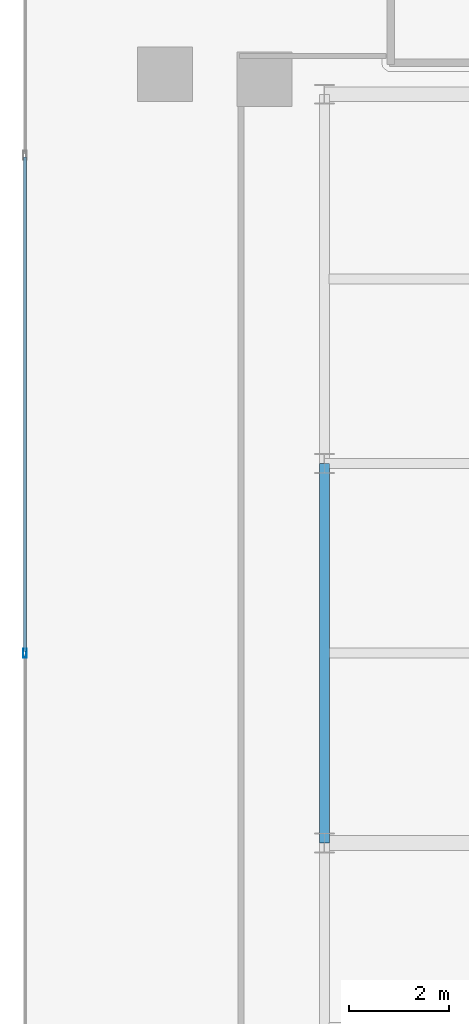
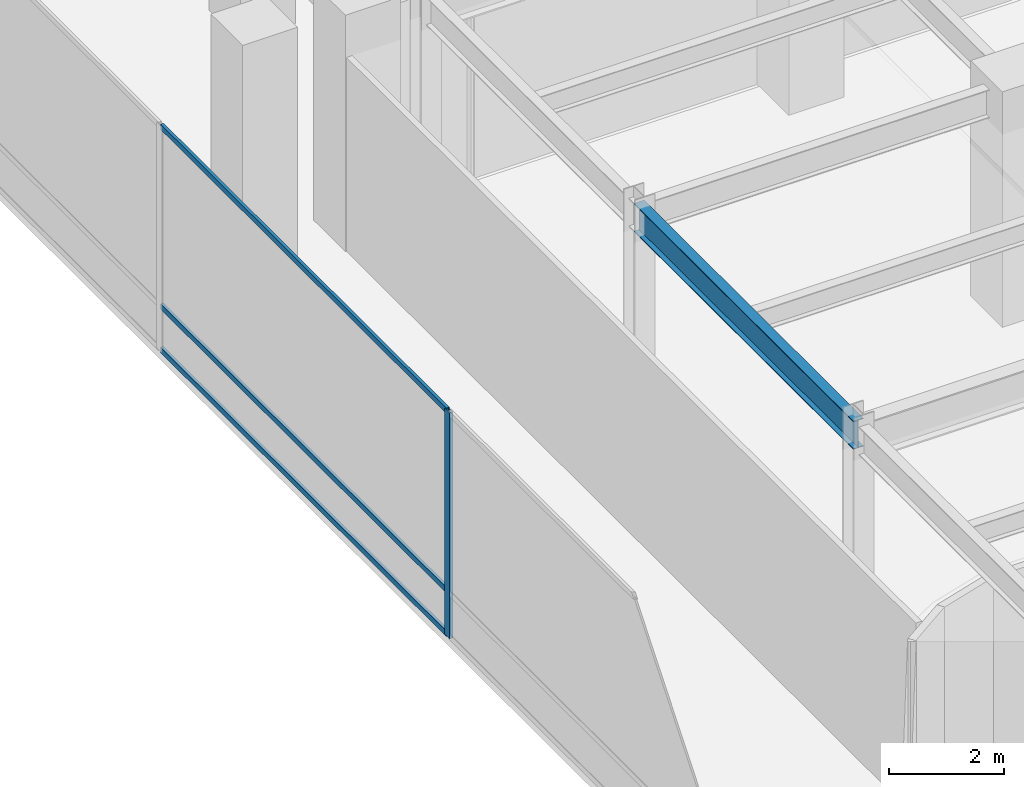
# One storey, part 10 of 42: 4 members, 1 beam, 1 element without a shape of its own.
"""IFC4 building model written with IfcOpenShell, lengths in metres."""

from ifc_helpers import new_model, si_unit, direction, frame, origin, origin_2d, place, context, subcontext, project, spatial, hollow_rectangle, i_section, extrude, material, layer, layer_set, material_profile, profile_set, type_object, element, aggregate, save


model = new_model("IFC4")

# Units and contexts
model_context = context("Model", 3, precision=1e-05, world=origin(), true_north=direction((0.0, 1.0)))
body_context = subcontext(model_context, "Body", "Model", "MODEL_VIEW")
ifc_project = project(units=[si_unit("LENGTHUNIT", "METRE"), si_unit("AREAUNIT", "SQUARE_METRE"), si_unit("VOLUMEUNIT", "CUBIC_METRE"), si_unit("PLANEANGLEUNIT", "RADIAN"), si_unit("MASSUNIT", "GRAM", prefix="KILO")], contexts=[model_context])

# Site, building, storey
site_placement = place(None, origin())
site = spatial("IfcSite", under=ifc_project, at=site_placement, CompositionType="ELEMENT")
building_placement = place(site_placement, origin())
building = spatial("IfcBuilding", under=site, at=building_placement, Name="Qianvela Tower", CompositionType="ELEMENT")
storey_placement = place(building_placement, frame((0.0, 0.0, 6.0)))
storey = spatial("IfcBuildingStorey", under=building, at=storey_placement, Name="L01", CompositionType="ELEMENT", Elevation=6.0)

# Beam
ifc_material_1 = material(Name="Steel Q355B", Category="steel")
ifc_material_profile_1 = material_profile(ifc_material_1, i_section(OverallWidth=0.199951171875, OverallDepth=0.60009765625, WebThickness=0.010986328125, FlangeThickness=0.01708984375, at=origin_2d()), Name="HN600x200x11x17")
ifc_profile_set_1 = profile_set([ifc_material_profile_1], Name="Steel Q355B")
beam_type = type_object("IfcBeamType", Name="BM-HN600-GIRD", PredefinedType="BEAM", material=ifc_profile_set_1)
beam_placement = place(storey_placement, frame((7.5, 22.199951171875, 4.47802734375), z_axis=(0.0, 1.0, 0.0), x_axis=(-1.0, 0.0, 0.0)))
element("IfcBeam", 1, at=beam_placement, inside=storey, type_object=beam_type, Name="L01 North-South Grid Girder 17", PredefinedType="BEAM", context=body_context, shape_type="SweptSolid", body=[
    extrude(i_section(OverallWidth=0.199951171875, OverallDepth=0.60009765625, WebThickness=0.010986328125, FlangeThickness=0.01708984375, at=origin_2d()), origin(), (0.0, 0.0, 1.0), 7.60009765625),
])

# Curtain wall, members
ifc_material_2 = material(Name="Anodised Architectural Aluminium and Low-E Glass", Category="aluminium")
ifc_layer = layer(ifc_material_2, 0.179931640625)
ifc_layer_set = layer_set([ifc_layer], Name="Anodised Architectural Aluminium and Low-E Glass")
curtain_wall_type = type_object("IfcCurtainWallType", Name="CW-COMMONS", PredefinedType="USERDEFINED", material=ifc_layer_set)
curtain_wall_placement = place(storey_placement, origin())
curtain_wall = element("IfcCurtainWall", 2, at=curtain_wall_placement, inside=storey, type_object=curtain_wall_type, Name="L01 CW-COMMONS Curtain Wall 07", ObjectType="CURTAIN_WALL_SYSTEM", PredefinedType="USERDEFINED")
ifc_material_3 = material(Name="Anodised Architectural Aluminium 6063-T6", Category="aluminium")
ifc_material_profile_2 = material_profile(ifc_material_3, hollow_rectangle(XDim=0.070068359375, YDim=0.179931640625, WallThickness=0.0048828125, at=origin_2d()), Name="ALU-MULL-70x180")
ifc_profile_set_2 = profile_set([ifc_material_profile_2], Name="Anodised Architectural Aluminium 6063-T6")
member_type_1 = type_object("IfcMemberType", Name="CW-COMMONS-MULL", PredefinedType="MULLION", material=ifc_profile_set_2)
member_1_placement = place(storey_placement, frame((1.5, 26.0, 0.0), z_axis=(0.0, 0.0, 1.0), x_axis=(1.0, 0.0, 0.0)))
member_1 = element("IfcMember", 3, at=member_1_placement, type_object=member_type_1, Name="CW-2 mullion 3", PredefinedType="MULLION", context=body_context, shape_type="SweptSolid", body=[
    extrude(hollow_rectangle(XDim=0.070068359375, YDim=0.179931640625, WallThickness=0.0048828125, at=origin_2d()), origin(), (0.0, 0.0, 1.0), 4.780029296875),
])
ifc_material_4 = material(Name="Anodised Architectural Aluminium 6063-T6", Category="aluminium")
ifc_material_profile_3 = material_profile(ifc_material_4, hollow_rectangle(XDim=0.06005859375, YDim=0.114990234375, WallThickness=0.00390625, at=origin_2d()), Name="ALU-TRAN-60x115")
ifc_profile_set_3 = profile_set([ifc_material_profile_3], Name="Anodised Architectural Aluminium 6063-T6")
member_type_2 = type_object("IfcMemberType", Name="CW-COMMONS-TRAN", PredefinedType="USERDEFINED", material=ifc_profile_set_3)
member_2_placement = place(storey_placement, frame((1.5, 35.93994140625, 0.030029296875), z_axis=(0.0, -1.0, 0.0), x_axis=(1.0, 0.0, 0.0)))
member_2 = element("IfcMember", 4, at=member_2_placement, type_object=member_type_2, Name="CW-2 transom 2.1", ObjectType="TRANSOM", PredefinedType="USERDEFINED", context=body_context, shape_type="SweptSolid", body=[
    extrude(hollow_rectangle(XDim=0.06005859375, YDim=0.114990234375, WallThickness=0.00390625, at=origin_2d()), origin(), (0.0, 0.0, 1.0), 9.905029296875),
])
member_3_placement = place(storey_placement, frame((1.5, 35.93994140625, 0.949951171875), z_axis=(0.0, -1.0, 0.0), x_axis=(1.0, 0.0, 0.0)))
member_3 = element("IfcMember", 5, at=member_3_placement, type_object=member_type_2, Name="CW-2 transom 2.2", ObjectType="TRANSOM", PredefinedType="USERDEFINED", context=body_context, shape_type="SweptSolid", body=[
    extrude(hollow_rectangle(XDim=0.06005859375, YDim=0.114990234375, WallThickness=0.00390625, at=origin_2d()), origin(), (0.0, 0.0, 1.0), 9.905029296875),
])
member_4_placement = place(storey_placement, frame((1.5, 35.93994140625, 4.75), z_axis=(0.0, -1.0, 0.0), x_axis=(1.0, 0.0, 0.0)))
member_4 = element("IfcMember", 6, at=member_4_placement, type_object=member_type_2, Name="CW-2 transom 2.3", ObjectType="TRANSOM", PredefinedType="USERDEFINED", context=body_context, shape_type="SweptSolid", body=[
    extrude(hollow_rectangle(XDim=0.06005859375, YDim=0.114990234375, WallThickness=0.00390625, at=origin_2d()), origin(), (0.0, 0.0, 1.0), 9.905029296875),
])
aggregate(curtain_wall, [member_1, member_2, member_3, member_4])

save(model, "model.ifc")
